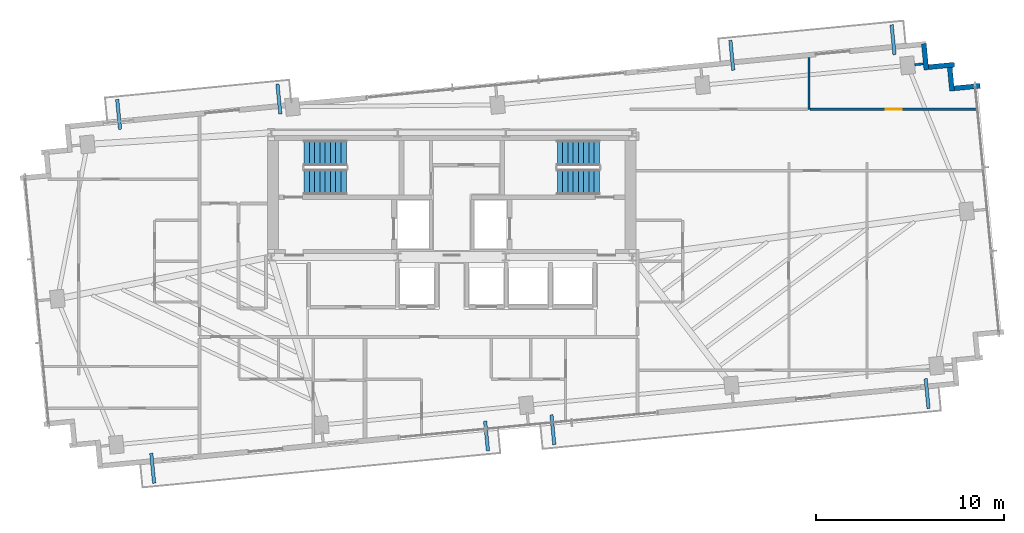
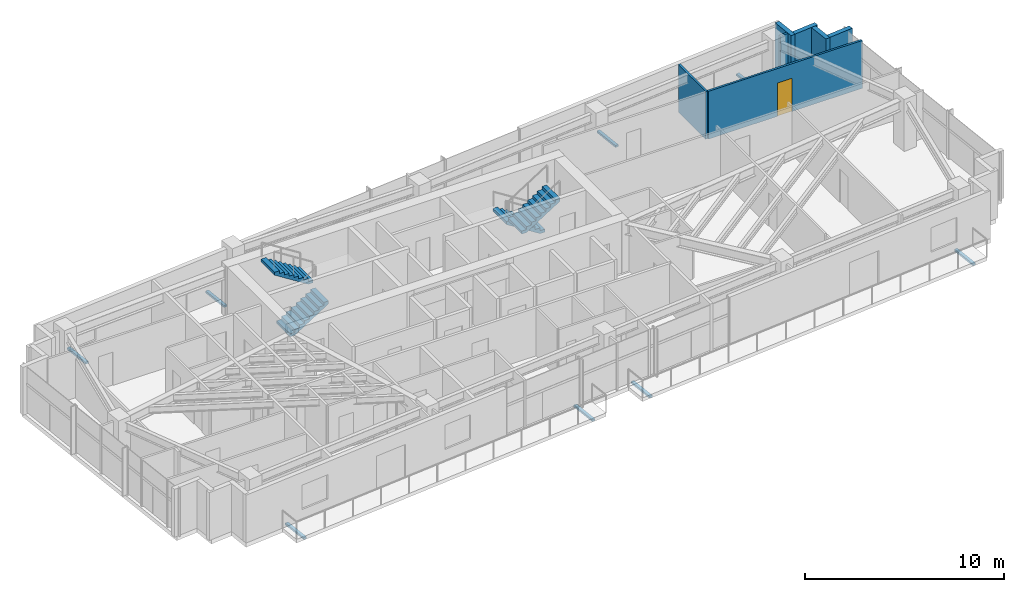
# One storey, part 16 of 18: 8 discrete accessories, 7 walls, 4 stair flights, 1 door, 1 opening, 2 elements without a shape of their own.
"""IFC4 building model written with IfcOpenShell, lengths in metres."""

from ifc_helpers import new_model, si_unit, direction, frame, frame_2d, origin, origin_2d, place, context, subcontext, project, spatial, polyline, rectangle, outline, extrude, source, transform, mapped, material, layer, layer_set, type_object, type_shapes, element, fill, aggregate, save


model = new_model("IFC4")

# Units and contexts
model_context = context("Model", 3, precision=1e-05, world=origin(), true_north=direction((0.0, 1.0)))
body_context = subcontext(model_context, "Body", "Model", "MODEL_VIEW")
ifc_project = project(units=[si_unit("LENGTHUNIT", "METRE"), si_unit("AREAUNIT", "SQUARE_METRE"), si_unit("VOLUMEUNIT", "CUBIC_METRE"), si_unit("PLANEANGLEUNIT", "RADIAN"), si_unit("MASSUNIT", "GRAM", prefix="KILO")], contexts=[model_context])

# Site, building, storey
site_placement = place(None, origin())
site = spatial("IfcSite", under=ifc_project, at=site_placement, CompositionType="ELEMENT")
building_placement = place(site_placement, origin())
building = spatial("IfcBuilding", under=site, at=building_placement, Name="Astriad Promenade Condominiums", CompositionType="ELEMENT")
storey_placement = place(building_placement, frame((0.0, 0.0, 173.0)))
storey = spatial("IfcBuildingStorey", under=building, at=storey_placement, Name="L49", CompositionType="ELEMENT", Elevation=173.0)

# Walls
ifc_material_1 = material(Name="Precast concrete C50/60", Category="concrete")
ifc_layer_1 = layer(ifc_material_1, 0.260009765625)
ifc_layer_set_1 = layer_set([ifc_layer_1], Name="Precast concrete C50/60")
wall_type_1 = type_object("IfcWallType", Name="WALL-EXT-TWR-260", PredefinedType="STANDARD", material=ifc_layer_set_1)
wall_1_placement = place(storey_placement, frame((61.093994140625, 28.735107421875, 0.0), z_axis=(0.0, 0.0, 1.0), x_axis=(0.095742423056, -0.99540614245, 0.0)))
element("IfcWall", 1, at=wall_1_placement, inside=storey, type_object=wall_type_1, Name="W-SER-L49-09", PredefinedType="STANDARD", context=body_context, shape_type="SweptSolid", body=[
    extrude(rectangle(XDim=1.394775390625, YDim=0.260009765625, at=frame_2d((0.697265625, 0.0))), origin(), (0.0, 0.0, 1.0), 2.93994140625),
])
wall_2_placement = place(storey_placement, frame((61.32958984375, 27.487060546875, 0.0), z_axis=(0.0, 0.0, 1.0), x_axis=(0.995391056452, 0.09589913835, 0.0)))
element("IfcWall", 2, at=wall_2_placement, inside=storey, type_object=wall_type_1, Name="W-SER-L49-10", PredefinedType="STANDARD", context=body_context, shape_type="SweptSolid", body=[
    extrude(rectangle(XDim=1.39501953125, YDim=0.260009765625, at=frame_2d((0.697509765625, 0.0))), origin(), (0.0, 0.0, 1.0), 2.93994140625),
])
for number, where, z_axis, x_axis, name in (
    (3, (62.4580078125, 27.610595703125, 0.0), (0.0, 0.0, 1.0), (0.095915846097, -0.995389446633, 0.0), "W-SER-L49-11"),
    (4, (62.69384765625, 26.362548828125, 0.0), (0.0, 0.0, 1.0), (0.995389446633, 0.095915846097, 0.0), "W-SER-L49-12"),
):
    element("IfcWall", number, at=place(storey_placement, frame(where, z_axis=z_axis, x_axis=x_axis)), inside=storey, type_object=wall_type_1, Name=name, PredefinedType="STANDARD", context=body_context, shape_type="SweptSolid", body=[
        extrude(rectangle(XDim=1.394775390625, YDim=0.260009765625, at=frame_2d((0.697265625, 0.0))), origin(), (0.0, 0.0, 1.0), 2.93994140625),
    ])
ifc_material_2 = material(Name="Acoustic Metal-Stud Gypsum Partition")
ifc_layer_2 = layer(ifc_material_2, 0.1201171875)
ifc_layer_set_2 = layer_set([ifc_layer_2], Name="Acoustic Metal-Stud Gypsum Partition")
wall_type_2 = type_object("IfcWallType", Name="WALL-PART-120", PredefinedType="PARTITIONING", material=ifc_layer_set_2)
wall_3_placement = place(storey_placement, frame((54.98291015625, 25.2470703125, 0.0), z_axis=(0.0, 0.0, 1.0), x_axis=(0.0, 1.0, 0.0)))
element("IfcWall", 5, at=wall_3_placement, inside=storey, type_object=wall_type_2, Name="PT-L49-E1-B1M", PredefinedType="PARTITIONING", context=body_context, shape_type="SweptSolid", body=[
    extrude(rectangle(XDim=2.751953125, YDim=0.1201171875, at=frame_2d((1.3759765625, 0.0))), origin(), (0.0, 0.0, 1.0), 2.93994140625),
])

# Wall, opening, door
wall_4_placement = place(storey_placement, frame((55.044921875, 25.2470703125, 0.0), z_axis=(0.0, 0.0, 1.0), x_axis=(1.0, 0.0, 0.0)))
wall_4 = element("IfcWall", 6, at=wall_4_placement, inside=storey, type_object=wall_type_2, Name="PT-L49-E1-B1-S2", PredefinedType="PARTITIONING", context=body_context, shape_type="SweptSolid", body=[
    extrude(rectangle(XDim=8.94677734375, YDim=0.1201171875, at=frame_2d((4.473388671875, 0.0))), origin(), (0.0, 0.0, 1.0), 2.93994140625),
])
opening_placement = place(wall_4_placement, frame((4.02392578125, 0.0, 0.0)))
opening = element("IfcOpeningElement", 7, at=opening_placement, cuts=wall_4, Name="Opening D-INT-085", PredefinedType="OPENING", context=body_context, shape_type="SweptSolid", body=[
    extrude(rectangle(XDim=0.85009765625, YDim=2.050048828125, at=frame_2d((0.425048828125, 1.02490234375))), frame((0.0, 0.070068359375, 0.0), z_axis=(0.0, -1.0, 0.0), x_axis=(1.0, 0.0, 0.0)), (0.0, 0.0, 1.0), 0.14013671875),
])
ifc_material_3 = material(Name="Painted Solid-Core Timber Room Door", Category="wood")
door_type = type_object("IfcDoorType", Name="D-INT-085", OperationType="NOTDEFINED", PredefinedType="DOOR", material=ifc_material_3)
shared_shape_1 = source(origin(), body_context, "Body", "SweptSolid", [
    extrude(rectangle(XDim=0.85009765625, YDim=2.050048828125, at=frame_2d((0.425048828125, 1.02490234375))), frame((0.0, 0.02490234375, 0.0), z_axis=(0.0, -1.0, 0.0), x_axis=(1.0, 0.0, 0.0)), (0.0, 0.0, 1.0), 0.050048828125),
])
type_shapes(door_type, [shared_shape_1])
door_placement = place(opening_placement, origin())
door = element("IfcDoor", 8, at=door_placement, inside=storey, type_object=door_type, Name="D-BD1B-L49-E1", OperationType="SINGLE_SWING_RIGHT", OverallHeight=2.050048828125, OverallWidth=0.85009765625, PredefinedType="DOOR", context=body_context, shape_type="MappedRepresentation", body=[
    mapped(shared_shape_1, transform((0.0, 0.0, 0.0), scale=1.0)),
])
fill(opening, door)

# Wall
wall_5_placement = place(storey_placement, frame((60.60888671875, 27.618408203125, 0.0), z_axis=(0.0, 0.0, 1.0), x_axis=(0.995384576284, 0.09596637586, 0.0)))
element("IfcWall", 9, at=wall_5_placement, inside=storey, type_object=wall_type_2, Name="PT-PIL-L49-PC10-17", PredefinedType="PARTITIONING", context=body_context, shape_type="SweptSolid", body=[
    extrude(rectangle(XDim=0.4580078125, YDim=0.1201171875, at=frame_2d((0.22900390625, 0.0))), origin(), (0.0, 0.0, 1.0), 2.93994140625),
])

# Stair, stair flights
ifc_material_4 = material(Name="Concrete C50/60", Category="concrete")
stair_type = type_object("IfcStairType", Name="STR-CORE-1350", PredefinedType="HALF_TURN_STAIR", material=ifc_material_4)
stair_1_placement = place(storey_placement, origin())
stair_1 = element("IfcStair", 10, at=stair_1_placement, inside=storey, type_object=stair_type, Name="L49 Enclosed Core Exit Stair ST-1", PredefinedType="HALF_TURN_STAIR")
stair_flight_type = type_object("IfcStairFlightType", Name="SFL-CORE-1350", PredefinedType="STRAIGHT", material=ifc_material_4)
shared_shape_2 = source(origin(), body_context, "Body", "SweptSolid", [
    extrude(outline(polyline([(0.0, 0.0), (0.0, 0.177734375), (0.280029296875, 0.177734375), (0.280029296875, 0.35546875), (0.56005859375, 0.35546875), (0.56005859375, 0.533447265625), (0.840087890625, 0.533447265625), (0.840087890625, 0.711181640625), (1.1201171875, 0.711181640625), (1.1201171875, 0.888916015625), (1.39990234375, 0.888916015625), (1.39990234375, 1.066650390625), (1.679931640625, 1.066650390625), (1.679931640625, 1.244384765625), (1.9599609375, 1.244384765625), (1.9599609375, 1.422119140625), (2.239990234375, 1.422119140625), (2.239990234375, 1.60009765625), (2.239990234375, 1.24462890625), (0.27978515625, 0.0), (0.0, 0.0)])), frame((0.0, 0.675048828125, 0.0), z_axis=(0.0, -1.0, 0.0), x_axis=(1.0, 0.0, 0.0)), (0.0, 0.0, 1.0), 1.35009765625),
])
type_shapes(stair_flight_type, [shared_shape_2])
stair_flight_1_placement = place(storey_placement, frame((28.14990234375, 21.375, 0.0), z_axis=(0.0, 0.0, 1.0), x_axis=(1.0, 0.0, 0.0)))
stair_flight_1 = element("IfcStairFlight", 11, at=stair_flight_1_placement, type_object=stair_flight_type, Name="ST-1 flight 1", NumberOfRisers=9, NumberOfTreads=8, PredefinedType="STRAIGHT", RiserHeight=0.177777778, TreadLength=0.28, context=body_context, shape_type="MappedRepresentation", body=[
    mapped(shared_shape_2, transform((0.0, 0.0, 0.0), scale=1.0)),
])
stair_flight_2_placement = place(storey_placement, frame((30.389892578125, 22.925048828125, 1.60009765625), z_axis=(0.0, 0.0, 1.0), x_axis=(-1.0, 0.0, 0.0)))
stair_flight_2 = element("IfcStairFlight", 12, at=stair_flight_2_placement, type_object=stair_flight_type, Name="ST-1 flight 2", NumberOfRisers=9, NumberOfTreads=8, PredefinedType="STRAIGHT", RiserHeight=0.177777778, TreadLength=0.28, context=body_context, shape_type="MappedRepresentation", body=[
    mapped(shared_shape_2, transform((0.0, 0.0, 0.0), scale=1.0)),
])
aggregate(stair_1, [stair_flight_1, stair_flight_2])

stair_2_placement = place(storey_placement, origin())
stair_2 = element("IfcStair", 13, at=stair_2_placement, inside=storey, type_object=stair_type, Name="L49 Enclosed Core Exit Stair ST-2", PredefinedType="HALF_TURN_STAIR")
stair_flight_3_placement = place(storey_placement, frame((43.85009765625, 22.925048828125, 0.0), z_axis=(0.0, 0.0, 1.0), x_axis=(-1.0, 0.0, 0.0)))
stair_flight_3 = element("IfcStairFlight", 14, at=stair_flight_3_placement, type_object=stair_flight_type, Name="ST-2 flight 1", NumberOfRisers=9, NumberOfTreads=8, PredefinedType="STRAIGHT", RiserHeight=0.177777778, TreadLength=0.28, context=body_context, shape_type="MappedRepresentation", body=[
    mapped(shared_shape_2, transform((0.0, 0.0, 0.0), scale=1.0)),
])
stair_flight_4_placement = place(storey_placement, frame((41.610107421875, 21.375, 1.60009765625), z_axis=(0.0, 0.0, 1.0), x_axis=(1.0, 0.0, 0.0)))
stair_flight_4 = element("IfcStairFlight", 15, at=stair_flight_4_placement, type_object=stair_flight_type, Name="ST-2 flight 2", NumberOfRisers=9, NumberOfTreads=8, PredefinedType="STRAIGHT", RiserHeight=0.177777778, TreadLength=0.28, context=body_context, shape_type="MappedRepresentation", body=[
    mapped(shared_shape_2, transform((0.0, 0.0, 0.0), scale=1.0)),
])
aggregate(stair_2, [stair_flight_3, stair_flight_4])

# Discrete accessories
ifc_material_5 = material(Name="Steel ASTM A572 Grade 50", Category="steel")
discrete_accessory_type = type_object("IfcDiscreteAccessoryType", Name="STEEL BALCONY OUTRIGGER BRACKET", PredefinedType="BRACKET", material=ifc_material_5)
shared_shape_3 = source(origin(), body_context, "Body", "SweptSolid", [
    extrude(rectangle(XDim=1.60009765625, YDim=0.179931640625, at=origin_2d()), origin(), (0.0, 0.0, 1.0), 0.1220703125),
])
type_shapes(discrete_accessory_type, [shared_shape_3])
for number, where, z_axis, x_axis, name in (
    (16, (20.100341796875, 6.167236328125, -0.340087890625), (0.0, 0.0, 1.0), (0.09584575252, -0.995396198367, 0.0), "Balcony Outrigger Bracket BAL-L49-SW-A"),
    (17, (37.84814453125, 7.876220703125, -0.340087890625), (0.0, 0.0, 1.0), (0.09584575252, -0.995396198367, 0.0), "Balcony Outrigger Bracket BAL-L49-SW-B"),
    (18, (41.372802734375, 8.215576171875, -0.340087890625), (0.0, 0.0, 1.0), (0.09584575252, -0.995396198367, 0.0), "Balcony Outrigger Bracket BAL-L49-SE-A"),
    (19, (61.268798828125, 10.13134765625, -0.340087890625), (0.0, 0.0, 1.0), (0.09584575252, -0.995396198367, 0.0), "Balcony Outrigger Bracket BAL-L49-SE-B"),
    (20, (18.288818359375, 24.980224609375, -0.340087890625), (0.0, 0.0, 1.0), (-0.09584575252, 0.995396198367, 0.0), "Balcony Outrigger Bracket BAL-L49-NW-A"),
    (21, (26.807373046875, 25.80029296875, -0.340087890625), (0.0, 0.0, 1.0), (-0.09584575252, 0.995396198367, 0.0), "Balcony Outrigger Bracket BAL-L49-NW-B"),
    (22, (50.885986328125, 28.118896484375, -0.340087890625), (0.0, 0.0, 1.0), (-0.09584575252, 0.995396198367, 0.0), "Balcony Outrigger Bracket BAL-L49-NE-A"),
    (23, (59.45751953125, 28.9443359375, -0.340087890625), (0.0, 0.0, 1.0), (-0.09584575252, 0.995396198367, 0.0), "Balcony Outrigger Bracket BAL-L49-NE-B"),
):
    element("IfcDiscreteAccessory", number, at=place(storey_placement, frame(where, z_axis=z_axis, x_axis=x_axis)), inside=storey, type_object=discrete_accessory_type, Name=name, PredefinedType="BRACKET", context=body_context, shape_type="MappedRepresentation", body=[
        mapped(shared_shape_3, transform((0.0, 0.0, 0.0), scale=1.0)),
    ])

save(model, "model.ifc")
